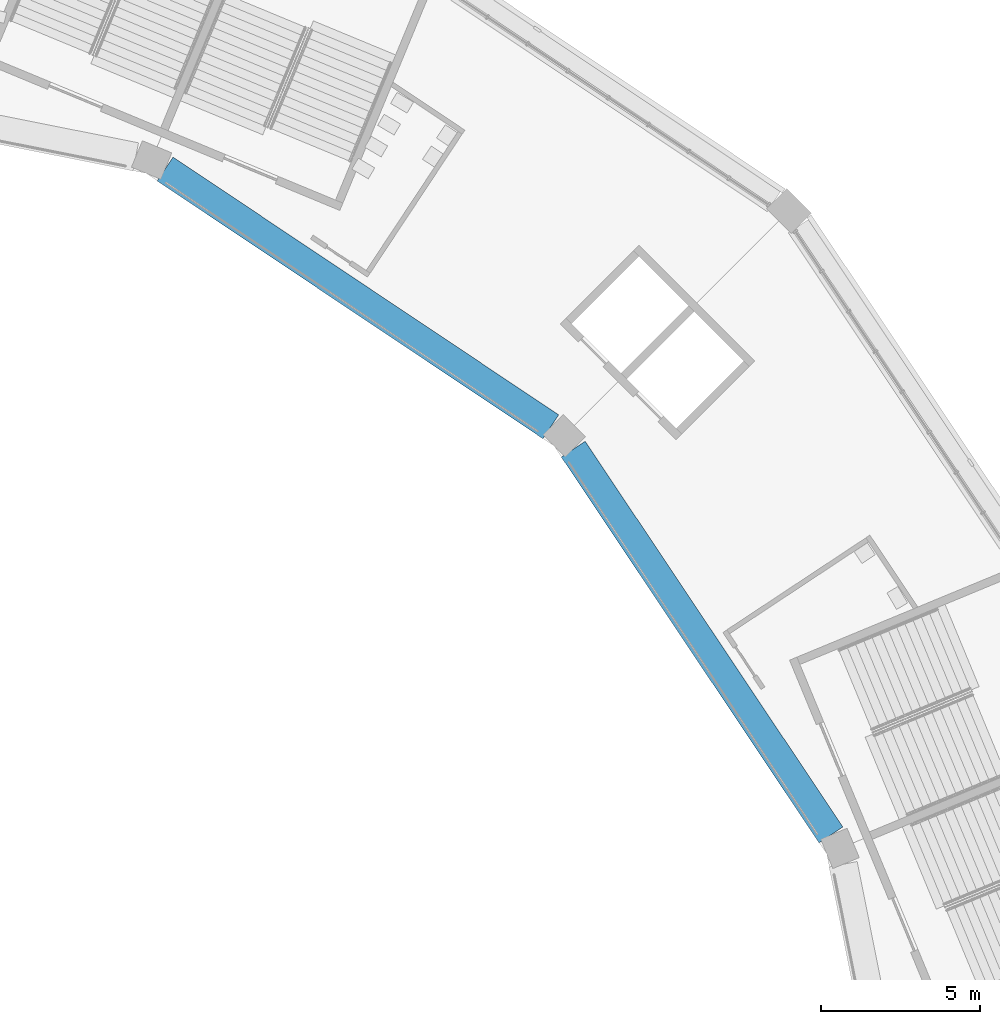
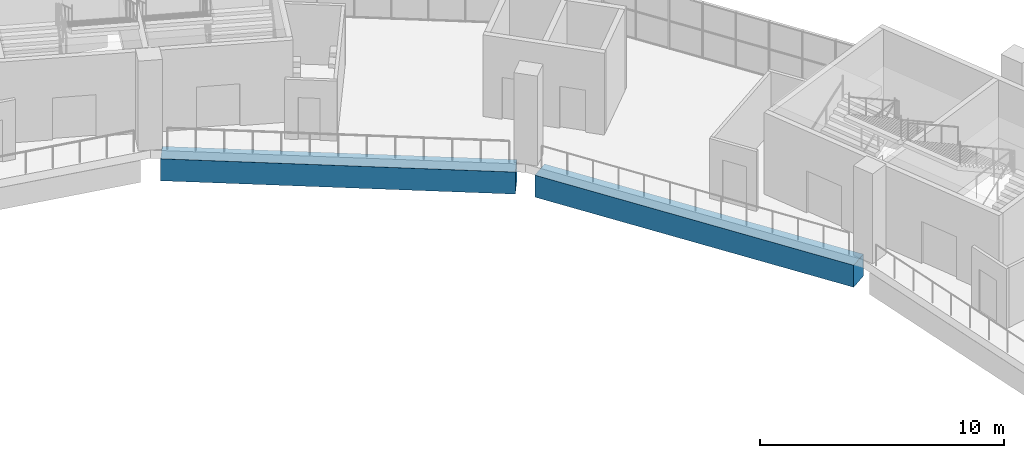
# One storey, part 38 of 177: 2 beams.
"""IFC4 building model written with IfcOpenShell, lengths in metres."""

from ifc_helpers import new_model, si_unit, direction, frame, origin, origin_2d, place, context, subcontext, project, spatial, rectangle, extrude, material, material_profile, profile_set, type_object, element, save


model = new_model("IFC4")

# Units and contexts
model_context = context("Model", 3, precision=1e-05, world=origin(), true_north=direction((0.0, 1.0)))
body_context = subcontext(model_context, "Body", "Model", "MODEL_VIEW")
ifc_project = project(units=[si_unit("LENGTHUNIT", "METRE"), si_unit("AREAUNIT", "SQUARE_METRE"), si_unit("VOLUMEUNIT", "CUBIC_METRE"), si_unit("PLANEANGLEUNIT", "RADIAN"), si_unit("MASSUNIT", "GRAM", prefix="KILO")], contexts=[model_context])

# Site, building, storey
site_placement = place(None, origin())
site = spatial("IfcSite", under=ifc_project, at=site_placement, CompositionType="ELEMENT")
building_placement = place(site_placement, origin())
building = spatial("IfcBuilding", under=site, at=building_placement, Name="Ogive Plaza Stadium", CompositionType="ELEMENT")
storey_placement = place(building_placement, frame((0.0, 0.0, 18.0)))
storey = spatial("IfcBuildingStorey", under=building, at=storey_placement, Name="L04", CompositionType="ELEMENT", Elevation=18.0)

# Beams
ifc_material = material(Name="Concrete C40/50", Category="concrete")
ifc_material_profile = material_profile(ifc_material, rectangle(XDim=0.89990234375, YDim=1.10009765625, at=origin_2d()), Name="RC 900x1100")
ifc_profile_set = profile_set([ifc_material_profile], Name="Concrete C40/50")
beam_type = type_object("IfcBeamType", Name="RC ring beam 900x1100", PredefinedType="BEAM", material=ifc_profile_set)
for number, where, z_axis, x_axis, name in (
    (1, (49.731201171875, 89.171875, -0.9599609375), (0.831467933961, -0.555572744827, 0.0), (0.555572744827, 0.831467933961, 0.0), "Ring beam F4 L04 B38"),
    (2, (62.5673828125, 80.3603515625, -0.9599609375), (0.555572744827, -0.831467933961, 0.0), (0.831467933961, 0.555572744827, 0.0), "Ring beam F4 L04 B39"),
):
    element("IfcBeam", number, at=place(storey_placement, frame(where, z_axis=z_axis, x_axis=x_axis)), inside=storey, type_object=beam_type, Name=name, PredefinedType="BEAM", context=body_context, shape_type="SweptSolid", body=[
        extrude(rectangle(XDim=0.89990234375, YDim=1.10009765625, at=origin_2d()), origin(), (0.0, 0.0, 1.0), 14.587646484375),
    ])

save(model, "model.ifc")
